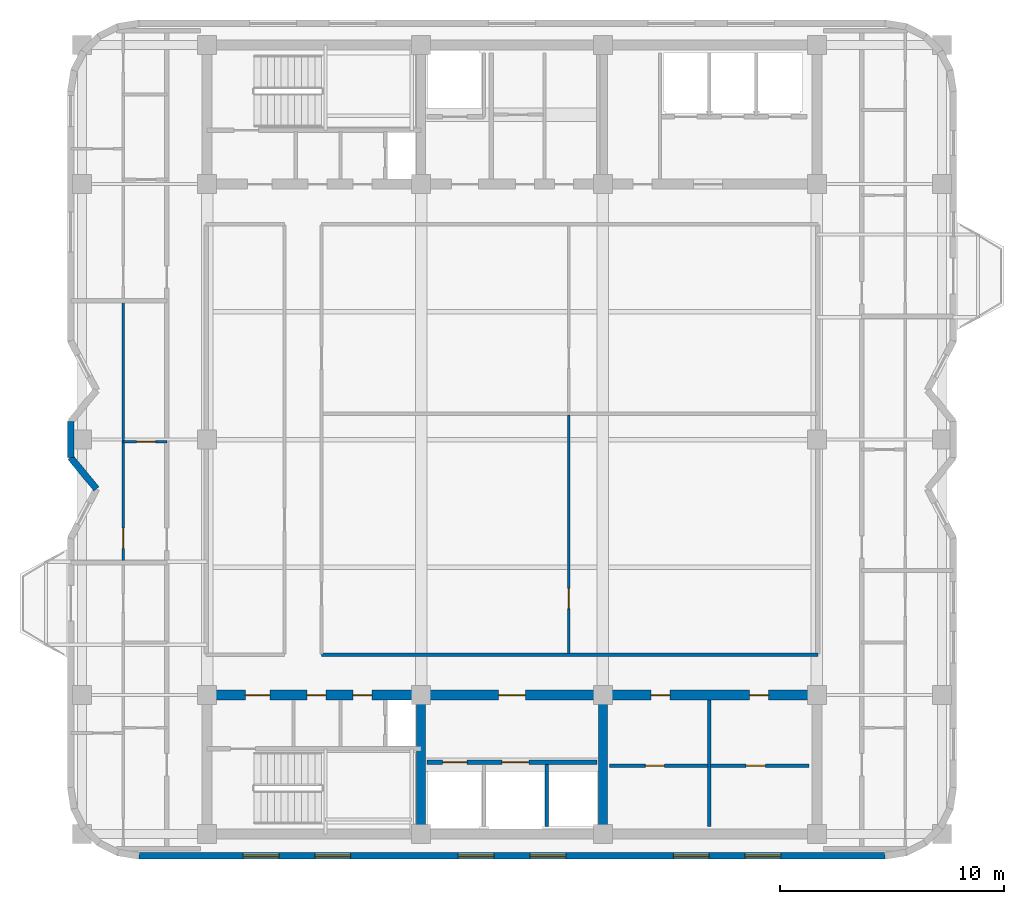
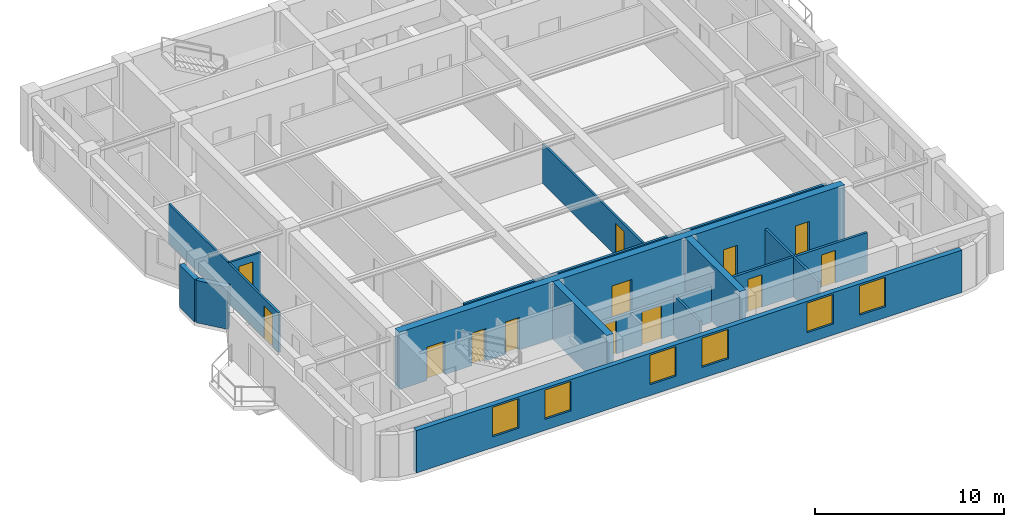
# One storey, part 3 of 9: 15 walls, 13 doors, 6 windows, 19 openings.
"""IFC4 building model written with IfcOpenShell, lengths in metres."""

import ifcopenshell
import ifcopenshell.guid

model = None  # the IFC model being written
_history = None  # IfcOwnerHistory: only IFC2X3 demands one
_inside = {}  # id of a spatial element -> (the spatial element, [elements in it])
_under = {}  # id of a project, library or spatial element -> (it, [spatial elements below it])
_declared = {}  # id of a project -> (the project, [libraries it declares])
_typed = {}  # id of a type object -> (the type object, [elements of that type])
_made_of = {}  # id of a material, layer set ... -> (it, [elements and type objects made of it])


def new_model(schema):
    """Start an empty IFC model of exactly this schema.

    Asked for "IFC4X3", IfcOpenShell would pick the latest addendum, in which some entities
    have other attributes; the version numbers below select the first issue.
    IFC2X3 requires an IfcOwnerHistory on every rooted entity: one is made here for all.
    """
    global model, _history
    if schema == "IFC4X3":
        model = ifcopenshell.file(schema_version=(4, 3, 0, 0))
    else:
        model = ifcopenshell.file(schema=schema)
    _inside.clear()
    _under.clear()
    _declared.clear()
    _typed.clear()
    _made_of.clear()
    _history = None
    if model.schema == "IFC2X3":
        org = make("IfcOrganization", Name="unknown")
        user = make(
            "IfcPersonAndOrganization",
            ThePerson=make("IfcPerson", FamilyName="unknown"),
            TheOrganization=org,
        )
        app = make(
            "IfcApplication",
            ApplicationDeveloper=org,
            Version="unknown",
            ApplicationFullName="unknown",
            ApplicationIdentifier="unknown",
        )
        _history = make(
            "IfcOwnerHistory",
            OwningUser=user,
            OwningApplication=app,
            ChangeAction="ADDED",
            CreationDate=0,
        )
    return model


def make(cls, **values):
    """One entity of the class cls with the attributes given. An attribute that is None is left unset."""
    return model.create_entity(
        cls, **{name: value for name, value in values.items() if value is not None}
    )


def rooted(cls, **values):
    """An entity with a GlobalId (a new one), such as an element, a storey or a relation."""
    return make(cls, GlobalId=ifcopenshell.guid.new(), OwnerHistory=_history, **values)


def si_unit(unit_type, name, prefix=None):
    """IfcSIUnit, for example si_unit("LENGTHUNIT", "METRE", prefix="MILLI")."""
    return make("IfcSIUnit", UnitType=unit_type, Prefix=prefix, Name=name)


def assignment(units):
    """IfcUnitAssignment: the units of a project."""
    return None if units is None else make("IfcUnitAssignment", Units=units)


def point(xyz):
    """IfcCartesianPoint."""
    return None if xyz is None else make("IfcCartesianPoint", Coordinates=xyz)


def direction(xyz):
    """IfcDirection."""
    return None if xyz is None else make("IfcDirection", DirectionRatios=xyz)


def frame(location, z_axis=None, x_axis=None):
    """IfcAxis2Placement3D, a coordinate frame: its origin and axes. An axis left out is left unset."""
    return make(
        "IfcAxis2Placement3D",
        Location=point(location),
        Axis=direction(z_axis),
        RefDirection=direction(x_axis),
    )


def frame_2d(location, x_axis=None):
    """IfcAxis2Placement2D, a coordinate frame in the plane: its origin and x axis."""
    return make(
        "IfcAxis2Placement2D", Location=point(location), RefDirection=direction(x_axis)
    )


def origin():
    """The frame at (0, 0, 0) with its axes left unset."""
    return frame((0.0, 0.0, 0.0))


def place(relative_to, where):
    """IfcLocalPlacement: puts the frame where relative to a parent placement (None: the world)."""
    return make(
        "IfcLocalPlacement", PlacementRelTo=relative_to, RelativePlacement=where
    )


def context(
    kind, dimensions, precision=None, world=None, true_north=None, identifier=None
):
    """IfcGeometricRepresentationContext, for example the 3D "Model" context."""
    return make(
        "IfcGeometricRepresentationContext",
        ContextIdentifier=identifier,
        ContextType=kind,
        CoordinateSpaceDimension=dimensions,
        Precision=precision,
        WorldCoordinateSystem=world,
        TrueNorth=true_north,
    )


def subcontext(parent, identifier, kind, view, scale=None):
    """IfcGeometricRepresentationSubContext, for example "Body" below "Model"."""
    return make(
        "IfcGeometricRepresentationSubContext",
        ContextIdentifier=identifier,
        ContextType=kind,
        ParentContext=parent,
        TargetScale=scale,
        TargetView=view,
    )


def project(units=None, contexts=None):
    """IfcProject with its units and contexts."""
    return rooted(
        "IfcProject",
        Name="project",
        RepresentationContexts=contexts,
        UnitsInContext=assignment(units),
    )


def spatial(cls, under=None, at=None, **own):
    """A site, building, storey or space (cls), placed at a placement, below another one or the project."""
    s = rooted(cls, ObjectPlacement=at, **own)
    if under is not None:
        _under.setdefault(under.id(), (under, []))[1].append(s)
    return s


def profile(cls, at=None, kind="AREA", **sizes):
    """A parametric profile (cls). Its sizes go by their IFC names, for example OverallWidth=200.0."""
    return make(cls, ProfileType=kind, Position=at, **sizes)


def rectangle(**sizes):
    """IfcRectangleProfileDef."""
    return profile("IfcRectangleProfileDef", **sizes)


def extrude(swept, where, along, depth):
    """IfcExtrudedAreaSolid: the profile swept, set in the frame where, extruded along a direction by depth."""
    return make(
        "IfcExtrudedAreaSolid",
        SweptArea=swept,
        Position=where,
        ExtrudedDirection=direction(along),
        Depth=depth,
    )


def shape(context_of_items, identifier, shape_type, items):
    """IfcShapeRepresentation: the items that make up one representation, for example the "Body"."""
    return make(
        "IfcShapeRepresentation",
        ContextOfItems=context_of_items,
        RepresentationIdentifier=identifier,
        RepresentationType=shape_type,
        Items=items,
    )


def material(Name=None, Category=None):
    """IfcMaterial."""
    return make("IfcMaterial", Name=Name, Category=Category)


def layer(
    of_material, thickness, ventilated=None, Name=None, Category=None, Priority=None
):
    """IfcMaterialLayer: one layer of a wall or slab, of a material (None: an air gap)."""
    return make(
        "IfcMaterialLayer",
        Material=of_material,
        LayerThickness=thickness,
        IsVentilated=ventilated,
        Name=Name,
        Category=Category,
        Priority=Priority,
    )


def layer_set(layers, Name=None):
    """IfcMaterialLayerSet."""
    return make("IfcMaterialLayerSet", MaterialLayers=layers, LayerSetName=Name)


def made_of(thing, what):
    """Note that an element or type object is made of a material, layer set ...; save() writes the relation."""
    if what is not None:
        _made_of.setdefault(what.id(), (what, []))[1].append(thing)
    return thing


def type_object(cls, material=None, **own):
    """A type object (cls), such as IfcWallType, which elements share."""
    return made_of(rooted(cls, **own), material)


def element(
    cls,
    number,
    at=None,
    inside=None,
    cuts=None,
    type_object=None,
    material=None,
    context=None,
    identifier="Body",
    shape_type=None,
    held_by="IfcProductDefinitionShape",
    body=None,
    shapes=None,
    **own,
):
    """One element of the class cls, such as IfcWall. Its Tag is "e" and its number.

    at: its placement. inside: the storey or other place that contains it. cuts: it is an
    opening in that element (IfcRelVoidsElement). A single representation is given by context,
    identifier, shape_type and body (its items); several are given by shapes. held_by: the class
    of the entity that holds the representations. save() writes the other relations.
    """
    e = rooted(cls, Tag="e%d" % number, ObjectPlacement=at, **own)
    if body is not None:
        shapes = [shape(context, identifier, shape_type, body)]
    if shapes is not None:
        e.Representation = make(held_by, Representations=shapes)
    if inside is not None:
        _inside.setdefault(inside.id(), (inside, []))[1].append(e)
    if cuts is not None:
        rooted(
            "IfcRelVoidsElement", RelatingBuildingElement=cuts, RelatedOpeningElement=e
        )
    if type_object is not None:
        _typed.setdefault(type_object.id(), (type_object, []))[1].append(e)
    return made_of(e, material)


def fill(opening, filler):
    """IfcRelFillsElement: the door or window that sits in an opening."""
    return rooted(
        "IfcRelFillsElement",
        RelatingOpeningElement=opening,
        RelatedBuildingElement=filler,
    )


def aggregate(whole, parts):
    """IfcRelAggregates: a whole, such as a stair, and the parts it consists of."""
    return rooted("IfcRelAggregates", RelatingObject=whole, RelatedObjects=parts)


def save(model, path):
    """Write the relations noted so far, then the file.

    IfcRelAggregates (storeys below a building ...), IfcRelContainedInSpatialStructure (elements
    in a storey), IfcRelDefinesByType, IfcRelAssociatesMaterial and IfcRelDeclares: one each for
    every whole, place, type object, material and project.
    """
    for whole, parts in _under.values():
        aggregate(whole, parts)
    for where, things in _inside.values():
        rooted(
            "IfcRelContainedInSpatialStructure",
            RelatedElements=things,
            RelatingStructure=where,
        )
    for kind, things in _typed.values():
        rooted("IfcRelDefinesByType", RelatedObjects=things, RelatingType=kind)
    for what, things in _made_of.values():
        rooted("IfcRelAssociatesMaterial", RelatedObjects=things, RelatingMaterial=what)
    for by, libraries in _declared.values():
        rooted("IfcRelDeclares", RelatingContext=by, RelatedDefinitions=libraries)
    model.write(path)


model = new_model("IFC4")

# Units and contexts
model_context = context("Model", 3, precision=1e-05, world=origin(), true_north=direction((0.0, 1.0)))
body_context = subcontext(model_context, "Body", "Model", "MODEL_VIEW")
ifc_project = project(units=[si_unit("LENGTHUNIT", "METRE"), si_unit("AREAUNIT", "SQUARE_METRE"), si_unit("VOLUMEUNIT", "CUBIC_METRE"), si_unit("PLANEANGLEUNIT", "RADIAN"), si_unit("MASSUNIT", "GRAM", prefix="KILO")], contexts=[model_context])

# Site, building, storey
site_placement = place(None, origin())
site = spatial("IfcSite", under=ifc_project, at=site_placement, CompositionType="ELEMENT")
building_placement = place(site_placement, origin())
building = spatial("IfcBuilding", under=site, at=building_placement, Name="Svetorya Sky Lyceum", CompositionType="ELEMENT")
storey_placement = place(building_placement, frame((0.0, 0.0, 244.300048828125)))
storey = spatial("IfcBuildingStorey", under=building, at=storey_placement, Name="L61", CompositionType="ELEMENT", Elevation=244.300048828125)

# Walls
ifc_material_1 = material(Name="Concrete C40/50", Category="concrete")
ifc_layer_1 = layer(ifc_material_1, 0.39990234375)
ifc_layer_set_1 = layer_set([ifc_layer_1], Name="Concrete C40/50")
wall_type_1 = type_object("IfcWallType", Name="WL-CORE-400", PredefinedType="SHEAR", material=ifc_layer_set_1)
for number, where, z_axis, x_axis, name in (
    (1, (35.14990234375, 10.824951171875, 0.0), (0.0, 0.0, 1.0), (0.0, 1.0, 0.0), "L61 SC Internal Shear Web WEB1"),
    (2, (43.25, 10.824951171875, 0.0), (0.0, 0.0, 1.0), (0.0, 1.0, 0.0), "L61 SC Internal Shear Web WEB2"),
):
    element("IfcWall", number, at=place(storey_placement, frame(where, z_axis=z_axis, x_axis=x_axis)), inside=storey, type_object=wall_type_1, Name=name, PredefinedType="SHEAR", context=body_context, shape_type="SweptSolid", body=[
        extrude(rectangle(XDim=5.75, YDim=0.39990234375, at=frame_2d((2.875, 0.0))), origin(), (0.0, 0.0, 1.0), 3.699951171875),
    ])

# Wall, openings, doors
ifc_material_2 = material(Name="Concrete C50/60", Category="concrete")
ifc_layer_2 = layer(ifc_material_2, 0.449951171875)
ifc_layer_set_2 = layer_set([ifc_layer_2], Name="Concrete C50/60")
wall_type_2 = type_object("IfcWallType", Name="WL-CORE-450", PredefinedType="SHEAR", material=ifc_layer_set_2)
wall_1_placement = place(storey_placement, frame((25.60009765625, 16.800048828125, 0.0), z_axis=(0.0, 0.0, 1.0), x_axis=(1.0, 0.0, 0.0)))
wall_1 = element("IfcWall", 3, at=wall_1_placement, inside=storey, type_object=wall_type_2, Name="L61 SC Inner Core Shear Wall", PredefinedType="SHEAR", context=body_context, shape_type="SweptSolid", body=[
    extrude(rectangle(XDim=27.199951171875, YDim=0.449951171875, at=frame_2d((13.60009765625, 0.0))), origin(), (0.0, 0.0, 1.0), 3.699951171875),
])
opening_1_placement = place(wall_1_placement, frame((1.699951171875, 0.0, 0.0)))
opening_1 = element("IfcOpeningElement", 4, at=opening_1_placement, cuts=wall_1, Name="Opening D-ST1", PredefinedType="OPENING", context=body_context, shape_type="SweptSolid", body=[
    extrude(rectangle(XDim=1.10009765625, YDim=2.14990234375, at=frame_2d((0.550048828125, 1.074951171875))), frame((0.0, 0.23486328125, 0.0), z_axis=(0.0, -1.0, 0.0), x_axis=(1.0, 0.0, 0.0)), (0.0, 0.0, 1.0), 0.469970703125),
])
opening_2_placement = place(wall_1_placement, frame((4.449951171875, 0.0, 0.0)))
opening_2 = element("IfcOpeningElement", 5, at=opening_2_placement, cuts=wall_1, Name="Opening D-CWC1", PredefinedType="OPENING", context=body_context, shape_type="SweptSolid", body=[
    extrude(rectangle(XDim=0.85009765625, YDim=2.10009765625, at=frame_2d((0.425048828125, 1.050048828125))), frame((0.0, 0.23486328125, 0.0), z_axis=(0.0, -1.0, 0.0), x_axis=(1.0, 0.0, 0.0)), (0.0, 0.0, 1.0), 0.469970703125),
])
opening_3_placement = place(wall_1_placement, frame((6.5, 0.0, 0.0)))
opening_3 = element("IfcOpeningElement", 6, at=opening_3_placement, cuts=wall_1, Name="Opening D-CWC1", PredefinedType="OPENING", context=body_context, shape_type="SweptSolid", body=[
    extrude(rectangle(XDim=0.85009765625, YDim=2.10009765625, at=frame_2d((0.425048828125, 1.050048828125))), frame((0.0, 0.23486328125, 0.0), z_axis=(0.0, -1.0, 0.0), x_axis=(1.0, 0.0, 0.0)), (0.0, 0.0, 1.0), 0.469970703125),
])
opening_4_placement = place(wall_1_placement, frame((13.0, 0.0, 0.0)))
opening_4 = element("IfcOpeningElement", 7, at=opening_4_placement, cuts=wall_1, Name="Opening D-FL1", PredefinedType="OPENING", context=body_context, shape_type="SweptSolid", body=[
    extrude(rectangle(XDim=1.199951171875, YDim=2.14990234375, at=frame_2d((0.60009765625, 1.074951171875))), frame((0.0, 0.23486328125, 0.0), z_axis=(0.0, -1.0, 0.0), x_axis=(1.0, 0.0, 0.0)), (0.0, 0.0, 1.0), 0.469970703125),
])
opening_5_placement = place(wall_1_placement, frame((19.800048828125, 0.0, 0.0)))
opening_5 = element("IfcOpeningElement", 8, at=opening_5_placement, cuts=wall_1, Name="Opening D-CWC1", PredefinedType="OPENING", context=body_context, shape_type="SweptSolid", body=[
    extrude(rectangle(XDim=0.85009765625, YDim=2.10009765625, at=frame_2d((0.425048828125, 1.050048828125))), frame((0.0, 0.23486328125, 0.0), z_axis=(0.0, -1.0, 0.0), x_axis=(1.0, 0.0, 0.0)), (0.0, 0.0, 1.0), 0.469970703125),
])
opening_6_placement = place(wall_1_placement, frame((24.199951171875, 0.0, 0.0)))
opening_6 = element("IfcOpeningElement", 9, at=opening_6_placement, cuts=wall_1, Name="Opening D-CWC1", PredefinedType="OPENING", context=body_context, shape_type="SweptSolid", body=[
    extrude(rectangle(XDim=0.85009765625, YDim=2.10009765625, at=frame_2d((0.425048828125, 1.050048828125))), frame((0.0, 0.23486328125, 0.0), z_axis=(0.0, -1.0, 0.0), x_axis=(1.0, 0.0, 0.0)), (0.0, 0.0, 1.0), 0.469970703125),
])
ifc_material_3 = material(Name="Fire-rated galvanized steel core service closet door", Category="steel")
door_type_1 = type_object("IfcDoorType", Name="DR-CWET-850", OperationType="SINGLE_SWING_LEFT", PredefinedType="DOOR", material=ifc_material_3)
door_1_placement = place(opening_2_placement, origin())
door_1 = element("IfcDoor", 10, at=door_1_placement, inside=storey, type_object=door_type_1, Name="L61 South Mop Closet Door", OperationType="SINGLE_SWING_LEFT", OverallHeight=2.10009765625, OverallWidth=0.85009765625, PredefinedType="DOOR", context=body_context, shape_type="SweptSolid", body=[
    extrude(rectangle(XDim=0.85009765625, YDim=2.10009765625, at=frame_2d((0.425048828125, 1.050048828125))), frame((0.0, 0.02490234375, 0.0), z_axis=(0.0, -1.0, 0.0), x_axis=(1.0, 0.0, 0.0)), (0.0, 0.0, 1.0), 0.050048828125),
])
fill(opening_2, door_1)
door_2_placement = place(opening_3_placement, origin())
door_2 = element("IfcDoor", 11, at=door_2_placement, inside=storey, type_object=door_type_1, Name="L61 South West WC Door", OperationType="SINGLE_SWING_RIGHT", OverallHeight=2.10009765625, OverallWidth=0.85009765625, PredefinedType="DOOR", context=body_context, shape_type="SweptSolid", body=[
    extrude(rectangle(XDim=0.85009765625, YDim=2.10009765625, at=frame_2d((0.425048828125, 1.050048828125))), frame((0.0, 0.02490234375, 0.0), z_axis=(0.0, -1.0, 0.0), x_axis=(1.0, 0.0, 0.0)), (0.0, 0.0, 1.0), 0.050048828125),
])
fill(opening_3, door_2)
door_3_placement = place(opening_5_placement, origin())
door_3 = element("IfcDoor", 12, at=door_3_placement, inside=storey, type_object=door_type_1, Name="L61 Housekeeping Door", OperationType="SINGLE_SWING_LEFT", OverallHeight=2.10009765625, OverallWidth=0.85009765625, PredefinedType="DOOR", context=body_context, shape_type="SweptSolid", body=[
    extrude(rectangle(XDim=0.85009765625, YDim=2.10009765625, at=frame_2d((0.425048828125, 1.050048828125))), frame((0.0, 0.02490234375, 0.0), z_axis=(0.0, -1.0, 0.0), x_axis=(1.0, 0.0, 0.0)), (0.0, 0.0, 1.0), 0.050048828125),
])
fill(opening_5, door_3)
door_4_placement = place(opening_6_placement, origin())
door_4 = element("IfcDoor", 13, at=door_4_placement, inside=storey, type_object=door_type_1, Name="L61 South WC Door", OperationType="SINGLE_SWING_RIGHT", OverallHeight=2.10009765625, OverallWidth=0.85009765625, PredefinedType="DOOR", context=body_context, shape_type="SweptSolid", body=[
    extrude(rectangle(XDim=0.85009765625, YDim=2.10009765625, at=frame_2d((0.425048828125, 1.050048828125))), frame((0.0, 0.02490234375, 0.0), z_axis=(0.0, -1.0, 0.0), x_axis=(1.0, 0.0, 0.0)), (0.0, 0.0, 1.0), 0.050048828125),
])
fill(opening_6, door_4)
ifc_material_4 = material(Name="Powder-coated insulated galvanized stair fire door")
door_type_2 = type_object("IfcDoorType", Name="DR-FIRE-1100", OperationType="SINGLE_SWING_LEFT", PredefinedType="DOOR", material=ifc_material_4)
door_5_placement = place(opening_1_placement, origin())
door_5 = element("IfcDoor", 14, at=door_5_placement, inside=storey, type_object=door_type_2, Name="L61 South Stair Airlock Door", OperationType="SINGLE_SWING_RIGHT", OverallHeight=2.14990234375, OverallWidth=1.10009765625, PredefinedType="DOOR", context=body_context, shape_type="SweptSolid", body=[
    extrude(rectangle(XDim=1.10009765625, YDim=2.14990234375, at=frame_2d((0.550048828125, 1.074951171875))), frame((0.0, 0.02490234375, 0.0), z_axis=(0.0, -1.0, 0.0), x_axis=(1.0, 0.0, 0.0)), (0.0, 0.0, 1.0), 0.050048828125),
])
fill(opening_1, door_5)
ifc_material_5 = material(Name="Powder-coated insulated galvanized fire door")
door_type_3 = type_object("IfcDoorType", Name="DR-FIRE-1200", OperationType="SINGLE_SWING_LEFT", PredefinedType="DOOR", material=ifc_material_5)
door_6_placement = place(opening_4_placement, origin())
door_6 = element("IfcDoor", 15, at=door_6_placement, inside=storey, type_object=door_type_3, Name="L61 South Firefighting Lift Lobby Door", OperationType="SINGLE_SWING_LEFT", OverallHeight=2.14990234375, OverallWidth=1.199951171875, PredefinedType="DOOR", context=body_context, shape_type="SweptSolid", body=[
    extrude(rectangle(XDim=1.199951171875, YDim=2.14990234375, at=frame_2d((0.60009765625, 1.074951171875))), frame((0.0, 0.02490234375, 0.0), z_axis=(0.0, -1.0, 0.0), x_axis=(1.0, 0.0, 0.0)), (0.0, 0.0, 1.0), 0.050048828125),
])
fill(opening_4, door_6)

# Wall, openings, windows
ifc_material_6 = material(Name="Putilovo limestone rainscreen on autoclaved cellular masonry", Category="masonry")
ifc_layer_3 = layer(ifc_material_6, 0.300048828125)
ifc_layer_set_3 = layer_set([ifc_layer_3], Name="Putilovo limestone rainscreen on autoclaved cellular masonry")
wall_type_3 = type_object("IfcWallType", Name="WL-EXT-300", PredefinedType="SOLIDWALL", material=ifc_layer_set_3)
wall_2_placement = place(storey_placement, frame((22.56005859375, 9.6298828125, 0.0), z_axis=(0.0, 0.0, 1.0), x_axis=(1.0, 0.0, 0.0)))
wall_2 = element("IfcWall", 16, at=wall_2_placement, inside=storey, type_object=wall_type_3, Name="L61 Limestone Exterior Wall 6M", PredefinedType="SOLIDWALL", context=body_context, shape_type="SweptSolid", body=[
    extrude(rectangle(XDim=33.280029296875, YDim=0.300048828125, at=frame_2d((16.64013671875, 0.0))), origin(), (0.0, 0.0, 1.0), 2.72998046875),
])
opening_7_placement = place(wall_2_placement, frame((4.64697265625, 0.0, 0.7099609375)))
opening_7 = element("IfcOpeningElement", 17, at=opening_7_placement, cuts=wall_2, Name="Opening W-R4", PredefinedType="OPENING", context=body_context, shape_type="SweptSolid", body=[
    extrude(rectangle(XDim=1.60009765625, YDim=1.89990234375, at=frame_2d((0.800048828125, 0.949951171875))), frame((0.0, 0.159912109375, 0.0), z_axis=(0.0, -1.0, 0.0), x_axis=(1.0, 0.0, 0.0)), (0.0, 0.0, 1.0), 0.320068359375),
])
opening_8_placement = place(wall_2_placement, frame((7.844970703125, 0.0, 0.7099609375)))
opening_8 = element("IfcOpeningElement", 18, at=opening_8_placement, cuts=wall_2, Name="Opening W-R4", PredefinedType="OPENING", context=body_context, shape_type="SweptSolid", body=[
    extrude(rectangle(XDim=1.60009765625, YDim=1.89990234375, at=frame_2d((0.800048828125, 0.949951171875))), frame((0.0, 0.159912109375, 0.0), z_axis=(0.0, -1.0, 0.0), x_axis=(1.0, 0.0, 0.0)), (0.0, 0.0, 1.0), 0.320068359375),
])
opening_9_placement = place(wall_2_placement, frame((14.240966796875, 0.0, 0.7099609375)))
opening_9 = element("IfcOpeningElement", 19, at=opening_9_placement, cuts=wall_2, Name="Opening W-R4", PredefinedType="OPENING", context=body_context, shape_type="SweptSolid", body=[
    extrude(rectangle(XDim=1.60009765625, YDim=1.89990234375, at=frame_2d((0.800048828125, 0.949951171875))), frame((0.0, 0.159912109375, 0.0), z_axis=(0.0, -1.0, 0.0), x_axis=(1.0, 0.0, 0.0)), (0.0, 0.0, 1.0), 0.320068359375),
])
opening_10_placement = place(wall_2_placement, frame((17.43896484375, 0.0, 0.7099609375)))
opening_10 = element("IfcOpeningElement", 20, at=opening_10_placement, cuts=wall_2, Name="Opening W-R4", PredefinedType="OPENING", context=body_context, shape_type="SweptSolid", body=[
    extrude(rectangle(XDim=1.60009765625, YDim=1.89990234375, at=frame_2d((0.800048828125, 0.949951171875))), frame((0.0, 0.159912109375, 0.0), z_axis=(0.0, -1.0, 0.0), x_axis=(1.0, 0.0, 0.0)), (0.0, 0.0, 1.0), 0.320068359375),
])
opening_11_placement = place(wall_2_placement, frame((23.8349609375, 0.0, 0.7099609375)))
opening_11 = element("IfcOpeningElement", 21, at=opening_11_placement, cuts=wall_2, Name="Opening W-R4", PredefinedType="OPENING", context=body_context, shape_type="SweptSolid", body=[
    extrude(rectangle(XDim=1.60009765625, YDim=1.89990234375, at=frame_2d((0.800048828125, 0.949951171875))), frame((0.0, 0.159912109375, 0.0), z_axis=(0.0, -1.0, 0.0), x_axis=(1.0, 0.0, 0.0)), (0.0, 0.0, 1.0), 0.320068359375),
])
opening_12_placement = place(wall_2_placement, frame((27.032958984375, 0.0, 0.7099609375)))
opening_12 = element("IfcOpeningElement", 22, at=opening_12_placement, cuts=wall_2, Name="Opening W-R4", PredefinedType="OPENING", context=body_context, shape_type="SweptSolid", body=[
    extrude(rectangle(XDim=1.60009765625, YDim=1.89990234375, at=frame_2d((0.800048828125, 0.949951171875))), frame((0.0, 0.159912109375, 0.0), z_axis=(0.0, -1.0, 0.0), x_axis=(1.0, 0.0, 0.0)), (0.0, 0.0, 1.0), 0.320068359375),
])
ifc_material_7 = material(Name="Thermally broken aluminium frame with triple low-E glazing", Category="aluminium")
window_type = type_object("IfcWindowType", Name="WN-RES-160", PartitioningType="DOUBLE_PANEL_VERTICAL", PredefinedType="WINDOW", material=ifc_material_7)
window_1_placement = place(opening_7_placement, origin())
window_1 = element("IfcWindow", 23, at=window_1_placement, inside=storey, type_object=window_type, Name="L61 Facade Window W-R4.6M.1", OverallHeight=1.89990234375, OverallWidth=1.60009765625, PartitioningType="SINGLE_PANEL", PredefinedType="WINDOW", context=body_context, shape_type="SweptSolid", body=[
    extrude(rectangle(XDim=1.60009765625, YDim=1.89990234375, at=frame_2d((0.800048828125, 0.949951171875))), frame((0.0, 0.030029296875, 0.0), z_axis=(0.0, -1.0, 0.0), x_axis=(1.0, 0.0, 0.0)), (0.0, 0.0, 1.0), 0.06005859375),
])
fill(opening_7, window_1)
window_2_placement = place(opening_8_placement, origin())
window_2 = element("IfcWindow", 24, at=window_2_placement, inside=storey, type_object=window_type, Name="L61 Facade Window W-R4.6M.2", OverallHeight=1.89990234375, OverallWidth=1.60009765625, PartitioningType="SINGLE_PANEL", PredefinedType="WINDOW", context=body_context, shape_type="SweptSolid", body=[
    extrude(rectangle(XDim=1.60009765625, YDim=1.89990234375, at=frame_2d((0.800048828125, 0.949951171875))), frame((0.0, 0.030029296875, 0.0), z_axis=(0.0, -1.0, 0.0), x_axis=(1.0, 0.0, 0.0)), (0.0, 0.0, 1.0), 0.06005859375),
])
fill(opening_8, window_2)
window_3_placement = place(opening_9_placement, origin())
window_3 = element("IfcWindow", 25, at=window_3_placement, inside=storey, type_object=window_type, Name="L61 Facade Window W-R4.6M.3", OverallHeight=1.89990234375, OverallWidth=1.60009765625, PartitioningType="SINGLE_PANEL", PredefinedType="WINDOW", context=body_context, shape_type="SweptSolid", body=[
    extrude(rectangle(XDim=1.60009765625, YDim=1.89990234375, at=frame_2d((0.800048828125, 0.949951171875))), frame((0.0, 0.030029296875, 0.0), z_axis=(0.0, -1.0, 0.0), x_axis=(1.0, 0.0, 0.0)), (0.0, 0.0, 1.0), 0.06005859375),
])
fill(opening_9, window_3)
window_4_placement = place(opening_10_placement, origin())
window_4 = element("IfcWindow", 26, at=window_4_placement, inside=storey, type_object=window_type, Name="L61 Facade Window W-R4.6M.4", OverallHeight=1.89990234375, OverallWidth=1.60009765625, PartitioningType="SINGLE_PANEL", PredefinedType="WINDOW", context=body_context, shape_type="SweptSolid", body=[
    extrude(rectangle(XDim=1.60009765625, YDim=1.89990234375, at=frame_2d((0.800048828125, 0.949951171875))), frame((0.0, 0.030029296875, 0.0), z_axis=(0.0, -1.0, 0.0), x_axis=(1.0, 0.0, 0.0)), (0.0, 0.0, 1.0), 0.06005859375),
])
fill(opening_10, window_4)
window_5_placement = place(opening_11_placement, origin())
window_5 = element("IfcWindow", 27, at=window_5_placement, inside=storey, type_object=window_type, Name="L61 Facade Window W-R4.6M.5", OverallHeight=1.89990234375, OverallWidth=1.60009765625, PartitioningType="SINGLE_PANEL", PredefinedType="WINDOW", context=body_context, shape_type="SweptSolid", body=[
    extrude(rectangle(XDim=1.60009765625, YDim=1.89990234375, at=frame_2d((0.800048828125, 0.949951171875))), frame((0.0, 0.030029296875, 0.0), z_axis=(0.0, -1.0, 0.0), x_axis=(1.0, 0.0, 0.0)), (0.0, 0.0, 1.0), 0.06005859375),
])
fill(opening_11, window_5)
window_6_placement = place(opening_12_placement, origin())
window_6 = element("IfcWindow", 28, at=window_6_placement, inside=storey, type_object=window_type, Name="L61 Facade Window W-R4.6M.6", OverallHeight=1.89990234375, OverallWidth=1.60009765625, PartitioningType="SINGLE_PANEL", PredefinedType="WINDOW", context=body_context, shape_type="SweptSolid", body=[
    extrude(rectangle(XDim=1.60009765625, YDim=1.89990234375, at=frame_2d((0.800048828125, 0.949951171875))), frame((0.0, 0.030029296875, 0.0), z_axis=(0.0, -1.0, 0.0), x_axis=(1.0, 0.0, 0.0)), (0.0, 0.0, 1.0), 0.06005859375),
])
fill(opening_12, window_6)

# Walls
wall_3_placement = place(storey_placement, frame((19.510009765625, 29.0, 0.0), z_axis=(0.0, 0.0, 1.0), x_axis=(0.0, -1.0, 0.0)))
element("IfcWall", 29, at=wall_3_placement, inside=storey, type_object=wall_type_3, Name="L61 Limestone Exterior Wall 33M", PredefinedType="SOLIDWALL", context=body_context, shape_type="SweptSolid", body=[
    extrude(rectangle(XDim=1.60009765625, YDim=0.300048828125, at=frame_2d((0.800048828125, 0.0))), origin(), (0.0, 0.0, 1.0), 2.72998046875),
])
wall_4_placement = place(storey_placement, frame((19.510009765625, 27.39990234375, 0.0), z_axis=(0.0, 0.0, 1.0), x_axis=(0.634733675645, -0.772730975827, 0.0)))
element("IfcWall", 30, at=wall_4_placement, inside=storey, type_object=wall_type_3, Name="L61 Limestone Exterior Wall 34M", PredefinedType="SOLIDWALL", context=body_context, shape_type="SweptSolid", body=[
    extrude(rectangle(XDim=1.8115234375, YDim=0.300048828125, at=frame_2d((0.90576171875, 0.0))), origin(), (0.0, 0.0, 1.0), 2.72998046875),
])

# Wall, opening, door
ifc_material_8 = material(Name="Twin-stud galvanized framing with double fireboard", Category="gypsum")
ifc_layer_4 = layer(ifc_material_8, 0.1201171875)
ifc_layer_set_4 = layer_set([ifc_layer_4], Name="Twin-stud galvanized framing with double fireboard")
wall_type_4 = type_object("IfcWallType", Name="WL-PART-120", PredefinedType="PARTITIONING", material=ifc_layer_set_4)
wall_5_placement = place(storey_placement, frame((41.735107421875, 18.659912109375, 0.0), z_axis=(0.0, 0.0, 1.0), x_axis=(0.0, 1.0, 0.0)))
wall_5 = element("IfcWall", 31, at=wall_5_placement, inside=storey, type_object=wall_type_4, Name="L61 Interior Partition OFF-VEM1", PredefinedType="PARTITIONING", context=body_context, shape_type="SweptSolid", body=[
    extrude(rectangle(XDim=10.6484375, YDim=0.1201171875, at=frame_2d((5.32421875, 0.0))), origin(), (0.0, 0.0, 1.0), 2.56005859375),
])
opening_13_placement = place(wall_5_placement, frame((2.0, 0.0, 0.0)))
opening_13 = element("IfcOpeningElement", 32, at=opening_13_placement, cuts=wall_5, Name="Opening D-RM1", PredefinedType="OPENING", context=body_context, shape_type="SweptSolid", body=[
    extrude(rectangle(XDim=0.89990234375, YDim=2.10009765625, at=frame_2d((0.449951171875, 1.050048828125))), frame((0.0, 0.070068359375, 0.0), z_axis=(0.0, -1.0, 0.0), x_axis=(1.0, 0.0, 0.0)), (0.0, 0.0, 1.0), 0.14013671875),
])
ifc_material_9 = material(Name="Lacquered birch veneer internal door")
door_type_4 = type_object("IfcDoorType", Name="DR-INT-900", OperationType="SINGLE_SWING_LEFT", PredefinedType="DOOR", material=ifc_material_9)
door_7_placement = place(opening_13_placement, origin())
door_7 = element("IfcDoor", 33, at=door_7_placement, inside=storey, type_object=door_type_4, Name="L61 East Study Door", OperationType="SINGLE_SWING_LEFT", OverallHeight=2.10009765625, OverallWidth=0.89990234375, PredefinedType="DOOR", context=body_context, shape_type="SweptSolid", body=[
    extrude(rectangle(XDim=0.89990234375, YDim=2.10009765625, at=frame_2d((0.449951171875, 1.050048828125))), frame((0.0, 0.02490234375, 0.0), z_axis=(0.0, -1.0, 0.0), x_axis=(1.0, 0.0, 0.0)), (0.0, 0.0, 1.0), 0.050048828125),
])
fill(opening_13, door_7)

wall_6_placement = place(storey_placement, frame((21.85009765625, 28.10009765625, 0.0), z_axis=(0.0, 0.0, 1.0), x_axis=(1.0, 0.0, 0.0)))
wall_6 = element("IfcWall", 34, at=wall_6_placement, inside=storey, type_object=wall_type_4, Name="L61 Interior Partition W2-WH1", PredefinedType="PARTITIONING", context=body_context, shape_type="SweptSolid", body=[
    extrude(rectangle(XDim=1.949951171875, YDim=0.1201171875, at=frame_2d((0.97509765625, 0.0))), origin(), (0.0, 0.0, 1.0), 2.56005859375),
])
opening_14_placement = place(wall_6_placement, frame((0.60009765625, 0.0, 0.0)))
opening_14 = element("IfcOpeningElement", 35, at=opening_14_placement, cuts=wall_6, Name="Opening D-BT1", PredefinedType="OPENING", context=body_context, shape_type="SweptSolid", body=[
    extrude(rectangle(XDim=0.85009765625, YDim=2.10009765625, at=frame_2d((0.425048828125, 1.050048828125))), frame((0.0, 0.070068359375, 0.0), z_axis=(0.0, -1.0, 0.0), x_axis=(1.0, 0.0, 0.0)), (0.0, 0.0, 1.0), 0.14013671875),
])
ifc_material_10 = material(Name="Moisture-resistant laminate bathroom door")
door_type_5 = type_object("IfcDoorType", Name="DR-WET-850", OperationType="SINGLE_SWING_LEFT", PredefinedType="DOOR", material=ifc_material_10)
door_8_placement = place(opening_14_placement, origin())
door_8 = element("IfcDoor", 36, at=door_8_placement, inside=storey, type_object=door_type_5, Name="Apartment W2 Bathroom Door", OperationType="SINGLE_SWING_RIGHT", OverallHeight=2.10009765625, OverallWidth=0.85009765625, PredefinedType="DOOR", context=body_context, shape_type="SweptSolid", body=[
    extrude(rectangle(XDim=0.85009765625, YDim=2.10009765625, at=frame_2d((0.425048828125, 1.050048828125))), frame((0.0, 0.02490234375, 0.0), z_axis=(0.0, -1.0, 0.0), x_axis=(1.0, 0.0, 0.0)), (0.0, 0.0, 1.0), 0.050048828125),
])
fill(opening_14, door_8)

wall_7_placement = place(storey_placement, frame((21.85009765625, 22.739990234375, 0.0), z_axis=(0.0, 0.0, 1.0), x_axis=(0.0, 1.0, 0.0)))
wall_7 = element("IfcWall", 37, at=wall_7_placement, inside=storey, type_object=wall_type_4, Name="L61 Interior Partition W2-WV", PredefinedType="PARTITIONING", context=body_context, shape_type="SweptSolid", body=[
    extrude(rectangle(XDim=11.625, YDim=0.1201171875, at=frame_2d((5.8125, 0.0))), origin(), (0.0, 0.0, 1.0), 2.56005859375),
])
opening_15_placement = place(wall_7_placement, frame((0.610107421875, 0.0, 0.0)))
opening_15 = element("IfcOpeningElement", 38, at=opening_15_placement, cuts=wall_7, Name="Opening D-RM1", PredefinedType="OPENING", context=body_context, shape_type="SweptSolid", body=[
    extrude(rectangle(XDim=0.89990234375, YDim=2.10009765625, at=frame_2d((0.449951171875, 1.050048828125))), frame((0.0, 0.070068359375, 0.0), z_axis=(0.0, -1.0, 0.0), x_axis=(1.0, 0.0, 0.0)), (0.0, 0.0, 1.0), 0.14013671875),
])
door_9_placement = place(opening_15_placement, origin())
door_9 = element("IfcDoor", 39, at=door_9_placement, inside=storey, type_object=door_type_4, Name="Apartment W2 Living Door", OperationType="SINGLE_SWING_LEFT", OverallHeight=2.10009765625, OverallWidth=0.89990234375, PredefinedType="DOOR", context=body_context, shape_type="SweptSolid", body=[
    extrude(rectangle(XDim=0.89990234375, YDim=2.10009765625, at=frame_2d((0.449951171875, 1.050048828125))), frame((0.0, 0.02490234375, 0.0), z_axis=(0.0, -1.0, 0.0), x_axis=(1.0, 0.0, 0.0)), (0.0, 0.0, 1.0), 0.050048828125),
])
fill(opening_15, door_9)

# Walls
ifc_material_11 = material(Name="Autoclaved cellular masonry blockwork with acoustic render", Category="masonry")
ifc_layer_5 = layer(ifc_material_11, 0.14990234375)
ifc_layer_set_5 = layer_set([ifc_layer_5], Name="Autoclaved cellular masonry blockwork with acoustic render")
wall_type_5 = type_object("IfcWallType", Name="WL-PART-150", PredefinedType="PARTITIONING", material=ifc_layer_set_5)
wall_8_placement = place(storey_placement, frame((40.75, 10.949951171875, 0.0), z_axis=(0.0, 0.0, 1.0), x_axis=(0.0, 1.0, 0.0)))
element("IfcWall", 40, at=wall_8_placement, inside=storey, type_object=wall_type_5, Name="L61 Interior Partition SC-SHD2", PredefinedType="PARTITIONING", context=body_context, shape_type="SweptSolid", body=[
    extrude(rectangle(XDim=2.75, YDim=0.14990234375, at=frame_2d((1.375, 0.0))), origin(), (0.0, 0.0, 1.0), 2.56005859375),
])
wall_9_placement = place(storey_placement, frame((48.0, 10.949951171875, 0.0), z_axis=(0.0, 0.0, 1.0), x_axis=(0.0, 1.0, 0.0)))
element("IfcWall", 41, at=wall_9_placement, inside=storey, type_object=wall_type_5, Name="L61 Interior Partition SC-LV7-V", PredefinedType="PARTITIONING", context=body_context, shape_type="SweptSolid", body=[
    extrude(rectangle(XDim=5.630126953125, YDim=0.14990234375, at=frame_2d((2.81494140625, 0.0))), origin(), (0.0, 0.0, 1.0), 2.56005859375),
])

# Wall, opening, door
wall_10_placement = place(storey_placement, frame((43.550048828125, 13.64990234375, 0.0), z_axis=(0.0, 0.0, 1.0), x_axis=(1.0, 0.0, 0.0)))
wall_10 = element("IfcWall", 42, at=wall_10_placement, inside=storey, type_object=wall_type_5, Name="L61 Interior Partition SC-LV7-HW", PredefinedType="PARTITIONING", context=body_context, shape_type="SweptSolid", body=[
    extrude(rectangle(XDim=4.39990234375, YDim=0.14990234375, at=frame_2d((2.199951171875, 0.0))), origin(), (0.0, 0.0, 1.0), 2.56005859375),
])
opening_16_placement = place(wall_10_placement, frame((1.60009765625, 0.0, 0.0)))
opening_16 = element("IfcOpeningElement", 43, at=opening_16_placement, cuts=wall_10, Name="Opening D-CWC1", PredefinedType="OPENING", context=body_context, shape_type="SweptSolid", body=[
    extrude(rectangle(XDim=0.85009765625, YDim=2.10009765625, at=frame_2d((0.425048828125, 1.050048828125))), frame((0.0, 0.0849609375, 0.0), z_axis=(0.0, -1.0, 0.0), x_axis=(1.0, 0.0, 0.0)), (0.0, 0.0, 1.0), 0.169921875),
])
door_10_placement = place(opening_16_placement, origin())
door_10 = element("IfcDoor", 44, at=door_10_placement, inside=storey, type_object=door_type_1, Name="L61 South Electrical Room Door", OperationType="SINGLE_SWING_LEFT", OverallHeight=2.10009765625, OverallWidth=0.85009765625, PredefinedType="DOOR", context=body_context, shape_type="SweptSolid", body=[
    extrude(rectangle(XDim=0.85009765625, YDim=2.10009765625, at=frame_2d((0.425048828125, 1.050048828125))), frame((0.0, 0.02490234375, 0.0), z_axis=(0.0, -1.0, 0.0), x_axis=(1.0, 0.0, 0.0)), (0.0, 0.0, 1.0), 0.050048828125),
])
fill(opening_16, door_10)

wall_11_placement = place(storey_placement, frame((48.050048828125, 13.64990234375, 0.0), z_axis=(0.0, 0.0, 1.0), x_axis=(1.0, 0.0, 0.0)))
wall_11 = element("IfcWall", 45, at=wall_11_placement, inside=storey, type_object=wall_type_5, Name="L61 Interior Partition SC-LV7-HE", PredefinedType="PARTITIONING", context=body_context, shape_type="SweptSolid", body=[
    extrude(rectangle(XDim=4.39990234375, YDim=0.14990234375, at=frame_2d((2.199951171875, 0.0))), origin(), (0.0, 0.0, 1.0), 2.56005859375),
])
opening_17_placement = place(wall_11_placement, frame((1.60009765625, 0.0, 0.0)))
opening_17 = element("IfcOpeningElement", 46, at=opening_17_placement, cuts=wall_11, Name="Opening D-CWC1", PredefinedType="OPENING", context=body_context, shape_type="SweptSolid", body=[
    extrude(rectangle(XDim=0.85009765625, YDim=2.10009765625, at=frame_2d((0.425048828125, 1.050048828125))), frame((0.0, 0.0849609375, 0.0), z_axis=(0.0, -1.0, 0.0), x_axis=(1.0, 0.0, 0.0)), (0.0, 0.0, 1.0), 0.169921875),
])
door_11_placement = place(opening_17_placement, origin())
door_11 = element("IfcDoor", 47, at=door_11_placement, inside=storey, type_object=door_type_1, Name="L61 South Server Closet Door", OperationType="SINGLE_SWING_RIGHT", OverallHeight=2.10009765625, OverallWidth=0.85009765625, PredefinedType="DOOR", context=body_context, shape_type="SweptSolid", body=[
    extrude(rectangle(XDim=0.85009765625, YDim=2.10009765625, at=frame_2d((0.425048828125, 1.050048828125))), frame((0.0, 0.02490234375, 0.0), z_axis=(0.0, -1.0, 0.0), x_axis=(1.0, 0.0, 0.0)), (0.0, 0.0, 1.0), 0.050048828125),
])
fill(opening_17, door_11)

# Wall
wall_12_placement = place(storey_placement, frame((30.699951171875, 18.60009765625, 0.0), z_axis=(0.0, 0.0, 1.0), x_axis=(1.0, 0.0, 0.0)))
element("IfcWall", 48, at=wall_12_placement, inside=storey, type_object=wall_type_5, Name="L61 Interior Partition OFF-CS-E", PredefinedType="PARTITIONING", context=body_context, shape_type="SweptSolid", body=[
    extrude(rectangle(XDim=22.150146484375, YDim=0.14990234375, at=frame_2d((11.0751953125, 0.0))), origin(), (0.0, 0.0, 1.0), 2.56005859375),
])

# Wall, openings, doors
ifc_material_12 = material(Name="Autoclaved cellular masonry blockwork with gypsum plaster", Category="masonry")
ifc_layer_6 = layer(ifc_material_12, 0.199951171875)
ifc_layer_set_6 = layer_set([ifc_layer_6], Name="Autoclaved cellular masonry blockwork with gypsum plaster")
wall_type_6 = type_object("IfcWallType", Name="WL-PART-200", PredefinedType="PARTITIONING", material=ifc_layer_set_6)
wall_13_placement = place(storey_placement, frame((35.39990234375, 13.800048828125, 0.0), z_axis=(0.0, 0.0, 1.0), x_axis=(1.0, 0.0, 0.0)))
wall_13 = element("IfcWall", 49, at=wall_13_placement, inside=storey, type_object=wall_type_6, Name="L61 Interior Partition SC-FLW", PredefinedType="PARTITIONING", context=body_context, shape_type="SweptSolid", body=[
    extrude(rectangle(XDim=7.60009765625, YDim=0.199951171875, at=frame_2d((3.800048828125, 0.0))), origin(), (0.0, 0.0, 1.0), 2.329833984375),
])
opening_18_placement = place(wall_13_placement, frame((0.699951171875, 0.0, 0.0)))
opening_18 = element("IfcOpeningElement", 50, at=opening_18_placement, cuts=wall_13, Name="Opening LD-FL", PredefinedType="OPENING", context=body_context, shape_type="SweptSolid", body=[
    extrude(rectangle(XDim=1.10009765625, YDim=2.14990234375, at=frame_2d((0.550048828125, 1.074951171875))), frame((0.0, 0.10986328125, 0.0), z_axis=(0.0, -1.0, 0.0), x_axis=(1.0, 0.0, 0.0)), (0.0, 0.0, 1.0), 0.219970703125),
])
opening_19_placement = place(wall_13_placement, frame((3.35009765625, 0.0, 0.0)))
opening_19 = element("IfcOpeningElement", 51, at=opening_19_placement, cuts=wall_13, Name="Opening LD-SV", PredefinedType="OPENING", context=body_context, shape_type="SweptSolid", body=[
    extrude(rectangle(XDim=1.199951171875, YDim=2.14990234375, at=frame_2d((0.60009765625, 1.074951171875))), frame((0.0, 0.10986328125, 0.0), z_axis=(0.0, -1.0, 0.0), x_axis=(1.0, 0.0, 0.0)), (0.0, 0.0, 1.0), 0.219970703125),
])
ifc_material_13 = material(Name="Fire-rated stainless AISI 304 firefighting lift landing door")
door_type_6 = type_object("IfcDoorType", Name="DR-LIFT-1100", OperationType="SLIDING_TO_LEFT", PredefinedType="DOOR", material=ifc_material_13)
door_12_placement = place(opening_18_placement, origin())
door_12 = element("IfcDoor", 52, at=door_12_placement, inside=storey, type_object=door_type_6, Name="L61 Firefighting Lift FL2 Landing Door", OperationType="SLIDING_TO_LEFT", OverallHeight=2.14990234375, OverallWidth=1.10009765625, PredefinedType="DOOR", context=body_context, shape_type="SweptSolid", body=[
    extrude(rectangle(XDim=1.10009765625, YDim=2.14990234375, at=frame_2d((0.550048828125, 1.074951171875))), frame((0.0, 0.02490234375, 0.0), z_axis=(0.0, -1.0, 0.0), x_axis=(1.0, 0.0, 0.0)), (0.0, 0.0, 1.0), 0.050048828125),
])
fill(opening_18, door_12)
ifc_material_14 = material(Name="Brushed stainless AISI 304 telescopic lift landing door")
door_type_7 = type_object("IfcDoorType", Name="DR-LIFT-1200", OperationType="SLIDING_TO_LEFT", PredefinedType="DOOR", material=ifc_material_14)
door_13_placement = place(opening_19_placement, origin())
door_13 = element("IfcDoor", 53, at=door_13_placement, inside=storey, type_object=door_type_7, Name="L61 Service Lift SVL1 Landing Door", OperationType="SLIDING_TO_LEFT", OverallHeight=2.14990234375, OverallWidth=1.199951171875, PredefinedType="DOOR", context=body_context, shape_type="SweptSolid", body=[
    extrude(rectangle(XDim=1.199951171875, YDim=2.14990234375, at=frame_2d((0.60009765625, 1.074951171875))), frame((0.0, 0.02490234375, 0.0), z_axis=(0.0, -1.0, 0.0), x_axis=(1.0, 0.0, 0.0)), (0.0, 0.0, 1.0), 0.050048828125),
])
fill(opening_19, door_13)

save(model, "model.ifc")
